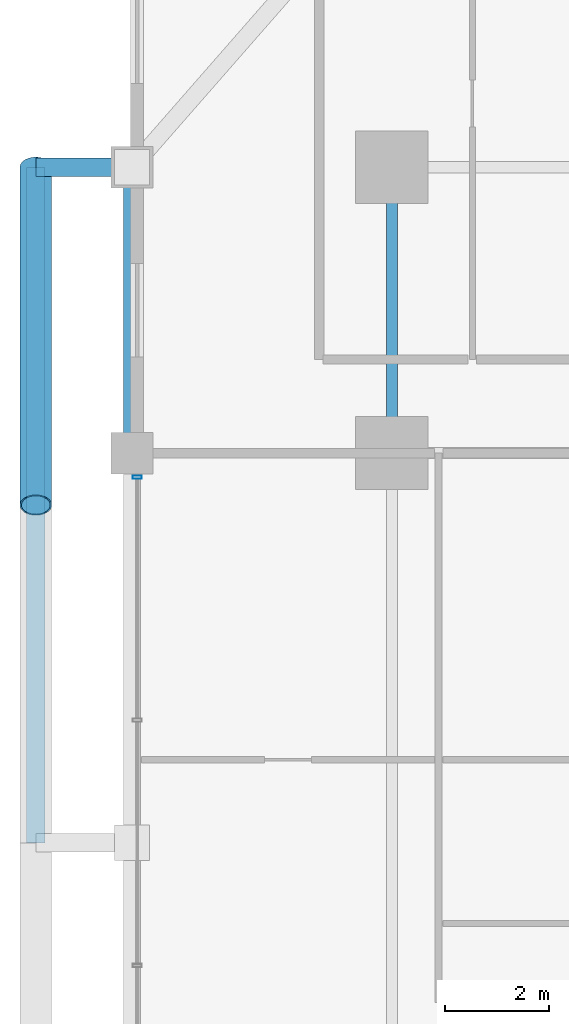
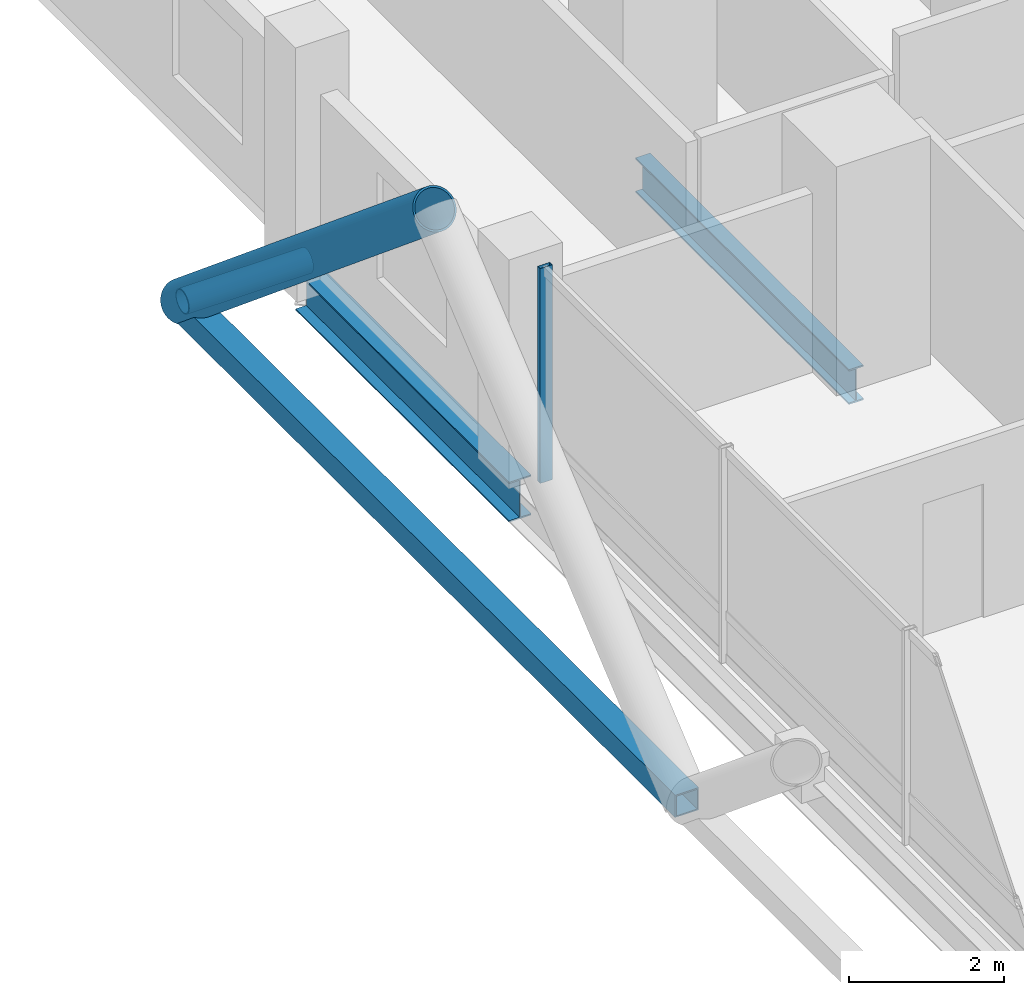
# One storey, part 13 of 28: 4 members, 2 beams, 1 element without a shape of its own.
"""IFC4 building model written with IfcOpenShell, lengths in metres."""

from ifc_helpers import new_model, si_unit, direction, frame, origin, origin_2d, place, context, subcontext, project, spatial, hollow_rectangle, hollow_circle, i_section, extrude, material, layer, layer_set, material_profile, profile_set, type_object, element, aggregate, save


model = new_model("IFC4")

# Units and contexts
model_context = context("Model", 3, precision=1e-05, world=origin(), true_north=direction((0.0, 1.0)))
body_context = subcontext(model_context, "Body", "Model", "MODEL_VIEW")
ifc_project = project(units=[si_unit("LENGTHUNIT", "METRE"), si_unit("AREAUNIT", "SQUARE_METRE"), si_unit("VOLUMEUNIT", "CUBIC_METRE"), si_unit("PLANEANGLEUNIT", "RADIAN"), si_unit("MASSUNIT", "GRAM", prefix="KILO")], contexts=[model_context])

# Site, building, storey
site_placement = place(None, origin())
site = spatial("IfcSite", under=ifc_project, at=site_placement, CompositionType="ELEMENT")
building_placement = place(site_placement, origin())
building = spatial("IfcBuilding", under=site, at=building_placement, Name="Barlavira Tower and Art Museum", CompositionType="ELEMENT")
storey_placement = place(building_placement, frame((0.0, 0.0, 39.60009765625)))
storey = spatial("IfcBuildingStorey", under=building, at=storey_placement, Name="L08", CompositionType="ELEMENT", Elevation=39.60009765625)

# Curtain wall, member
ifc_material_1 = material(Name="Low-iron coastal laminated glass", Category="glass")
ifc_layer = layer(ifc_material_1, 0.179931640625, Name="Low-iron coastal laminated glass")
ifc_layer_set = layer_set([ifc_layer], Name="Low-iron coastal laminated glass")
curtain_wall_type = type_object("IfcCurtainWallType", Name="Pale-Metal Unitised Curtain Wall Zone 1", PredefinedType="NOTDEFINED", material=ifc_layer_set)
curtain_wall_placement = place(storey_placement, origin())
curtain_wall = element("IfcCurtainWall", 1, at=curtain_wall_placement, inside=storey, type_object=curtain_wall_type, Name="L08 Curtain Wall CW1-L08-W-B3", PredefinedType="NOTDEFINED")
ifc_material_2 = material(Name="Pale anodised aluminium", Category="aluminium")
ifc_material_profile_1 = material_profile(ifc_material_2, hollow_rectangle(XDim=0.06494140625, YDim=0.179931640625, WallThickness=0.00390625, at=origin_2d()), Name="ALU-MULL 65x180x4")
ifc_profile_set_1 = profile_set([ifc_material_profile_1], Name="Pale anodised aluminium")
member_type_1 = type_object("IfcMemberType", Name="Curtain Wall Pale-Metal Mullion 65x180", PredefinedType="MULLION", material=ifc_profile_set_1)
member_1_placement = place(storey_placement, frame((-21.89990234375, 7.034912109375, 0.0), z_axis=(0.0, 0.0, 1.0), x_axis=(0.0, -1.0, 0.0)))
member_1 = element("IfcMember", 2, at=member_1_placement, type_object=member_type_1, Name="CW1-L08-W-B3 Mullion 0", PredefinedType="MULLION", context=body_context, shape_type="SweptSolid", body=[
    extrude(hollow_rectangle(XDim=0.06494140625, YDim=0.179931640625, WallThickness=0.00390625, at=origin_2d()), origin(), (0.0, 0.0, 1.0), 3.3798828125),
])
aggregate(curtain_wall, [member_1])

# Members
ifc_material_3 = material(Name="Steel S355", Category="steel")
ifc_material_profile_2 = material_profile(ifc_material_3, hollow_circle(Radius=0.304931640625, WallThickness=0.028076171875, at=origin_2d()), Name="CHS 610.0x28.0")
ifc_profile_set_2 = profile_set([ifc_material_profile_2], Name="Steel S355")
member_type_2 = type_object("IfcMemberType", Name="Pale-Metal Exoskeleton Diagrid Tube CHS 610x28 Steel S355", PredefinedType="BRACE", material=ifc_profile_set_2)
member_2_placement = place(storey_placement, frame((-23.85009765625, 13.0, -0.1201171875), z_axis=(0.0, -0.769196053329, 0.639012857104), x_axis=(1.0, 0.0, 0.0)))
element("IfcMember", 3, at=member_2_placement, inside=storey, type_object=member_type_2, Name="L08 Exoskeleton Diagrid Tube W", PredefinedType="BRACE", context=body_context, shape_type="SweptSolid", body=[
    extrude(hollow_circle(Radius=0.304931640625, WallThickness=0.028076171875, at=origin_2d()), origin(), (0.0, 0.0, 1.0), 8.450439453125),
])
ifc_material_profile_3 = material_profile(ifc_material_3, hollow_rectangle(XDim=0.35009765625, YDim=0.35009765625, WallThickness=0.02001953125, at=origin_2d()), Name="SHS 350x350x20.0")
ifc_profile_set_3 = profile_set([ifc_material_profile_3], Name="Steel S355")
member_type_3 = type_object("IfcMemberType", Name="Pale-Metal Exoskeleton Ring Strut SHS 350x350x20 Steel S355", PredefinedType="STRUT", material=ifc_profile_set_3)
member_3_placement = place(storey_placement, frame((-23.85009765625, 0.0, -0.1201171875), z_axis=(0.0, 1.0, 0.0), x_axis=(-1.0, 0.0, 0.0)))
element("IfcMember", 4, at=member_3_placement, inside=storey, type_object=member_type_3, Name="L08 Exoskeleton Ring Strut W", PredefinedType="STRUT", context=body_context, shape_type="SweptSolid", body=[
    extrude(hollow_rectangle(XDim=0.35009765625, YDim=0.35009765625, WallThickness=0.02001953125, at=origin_2d()), origin(), (0.0, 0.0, 1.0), 13.0),
])
ifc_material_profile_4 = material_profile(ifc_material_3, hollow_circle(Radius=0.177734375, WallThickness=0.01611328125, at=origin_2d()), Name="CHS 355.6x16.0")
ifc_profile_set_4 = profile_set([ifc_material_profile_4], Name="Steel S355")
member_type_4 = type_object("IfcMemberType", Name="Pale-Metal Exoskeleton Tie Strut CHS 356x16 Steel S355", PredefinedType="STRUT", material=ifc_profile_set_4)
member_4_placement = place(storey_placement, frame((-23.85009765625, 13.0, -0.1201171875), z_axis=(1.0, 0.0, 0.0), x_axis=(0.0, 1.0, 0.0)))
element("IfcMember", 5, at=member_4_placement, inside=storey, type_object=member_type_4, Name="L08 Exoskeleton Tie Strut W3", PredefinedType="STRUT", context=body_context, shape_type="SweptSolid", body=[
    extrude(hollow_circle(Radius=0.177734375, WallThickness=0.01611328125, at=origin_2d()), origin(), (0.0, 0.0, 1.0), 1.85009765625),
])

# Beams
ifc_material_profile_5 = material_profile(ifc_material_3, i_section(OverallWidth=0.327880859375, OverallDepth=0.62890625, WebThickness=0.013916015625, FlangeThickness=0.021484375, at=origin_2d()), Name="W610x174.0")
ifc_profile_set_5 = profile_set([ifc_material_profile_5], Name="Steel S355")
beam_type_1 = type_object("IfcBeamType", Name="Perimeter Spandrel Edge Beam W610x174 Steel S355", PredefinedType="SPANDREL", material=ifc_profile_set_5)
beam_1_placement = place(storey_placement, frame((-22.0, 7.5, -0.53466796875), z_axis=(0.0, 1.0, 0.0), x_axis=(-1.0, 0.0, 0.0)))
element("IfcBeam", 6, at=beam_1_placement, inside=storey, type_object=beam_type_1, Name="L08 Spandrel 13", PredefinedType="SPANDREL", context=body_context, shape_type="SweptSolid", body=[
    extrude(i_section(OverallWidth=0.327880859375, OverallDepth=0.62890625, WebThickness=0.013916015625, FlangeThickness=0.021484375, at=origin_2d()), origin(), (0.0, 0.0, 1.0), 5.5),
])
ifc_material_profile_6 = material_profile(ifc_material_3, i_section(OverallWidth=0.214111328125, OverallDepth=0.549072265625, WebThickness=0.0146484375, FlangeThickness=0.023681640625, at=origin_2d()), Name="W530x138.0")
ifc_profile_set_6 = profile_set([ifc_material_profile_6], Name="Steel S355")
beam_type_2 = type_object("IfcBeamType", Name="Zone 1 Primary Floor Girder W530x138 Steel S355", PredefinedType="BEAM", material=ifc_profile_set_6)
beam_2_placement = place(storey_placement, frame((-17.0, 7.5, -0.49462890625), z_axis=(0.0, 1.0, 0.0), x_axis=(-1.0, 0.0, 0.0)))
element("IfcBeam", 7, at=beam_2_placement, inside=storey, type_object=beam_type_2, Name="L08 Girder M-W3", PredefinedType="BEAM", context=body_context, shape_type="SweptSolid", body=[
    extrude(i_section(OverallWidth=0.214111328125, OverallDepth=0.549072265625, WebThickness=0.0146484375, FlangeThickness=0.023681640625, at=origin_2d()), origin(), (0.0, 0.0, 1.0), 5.5),
])

save(model, "model.ifc")
